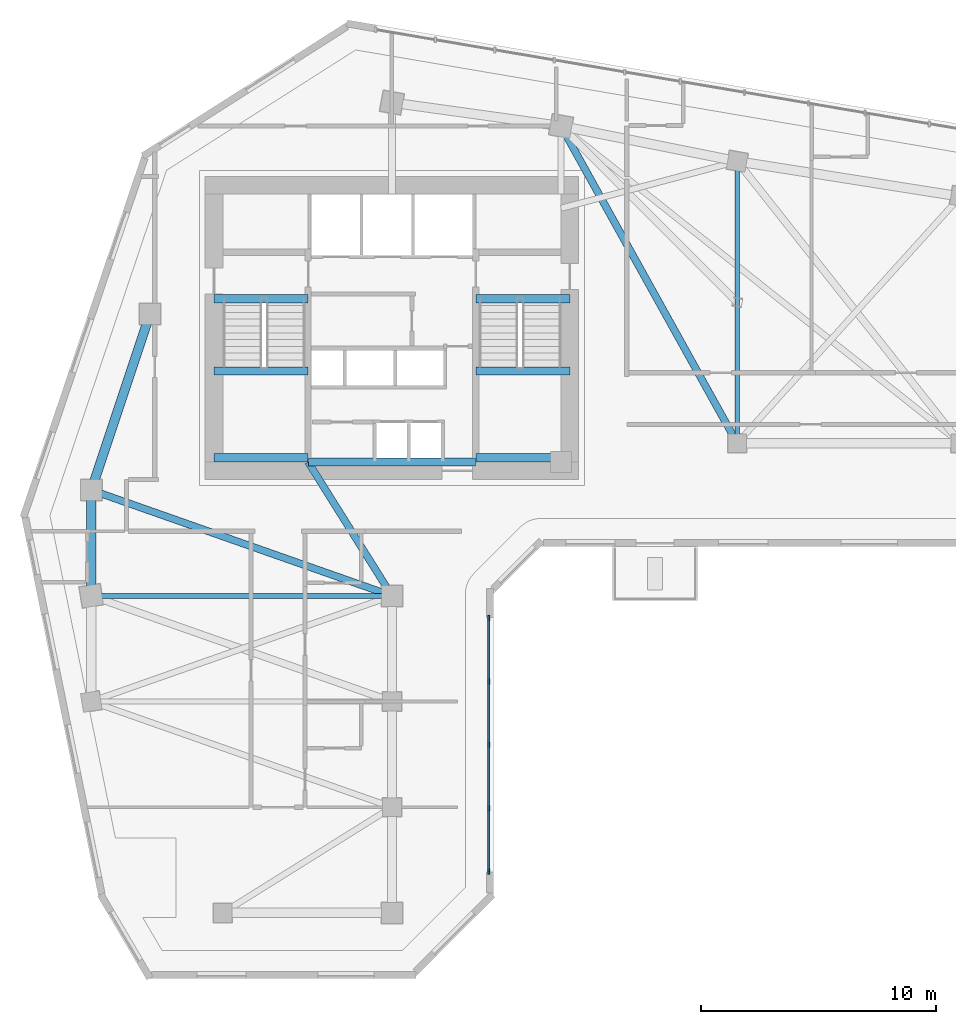
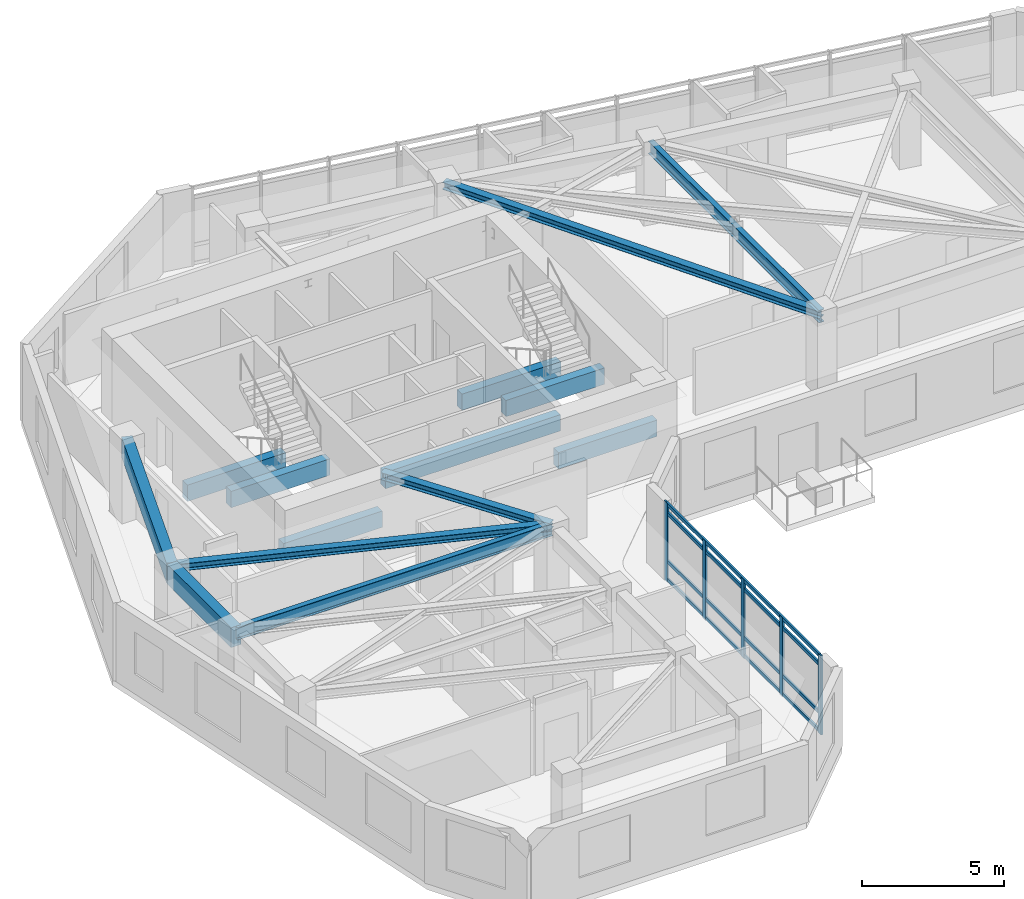
# One storey, part 2 of 11: 14 beams, 9 members, 1 element without a shape of its own.
"""IFC4 building model written with IfcOpenShell, lengths in metres."""

from ifc_helpers import new_model, si_unit, direction, frame, origin, origin_2d, place, context, subcontext, project, spatial, rectangle, i_section, extrude, source, transform, mapped, material, material_profile, profile_set, type_object, element, aggregate, save


model = new_model("IFC4")

# Units and contexts
model_context = context("Model", 3, precision=1e-05, world=origin(), true_north=direction((0.0, 1.0)))
body_context = subcontext(model_context, "Body", "Model", "MODEL_VIEW")
ifc_project = project(units=[si_unit("LENGTHUNIT", "METRE"), si_unit("AREAUNIT", "SQUARE_METRE"), si_unit("VOLUMEUNIT", "CUBIC_METRE"), si_unit("PLANEANGLEUNIT", "RADIAN"), si_unit("MASSUNIT", "GRAM", prefix="KILO")], contexts=[model_context])

# Site, building, storey
site_placement = place(None, origin())
site = spatial("IfcSite", under=ifc_project, at=site_placement, CompositionType="ELEMENT")
building_placement = place(site_placement, origin())
building = spatial("IfcBuilding", under=site, at=building_placement, Name="Calvemar Wedge Station Tower", CompositionType="ELEMENT")
storey_placement = place(building_placement, frame((0.0, 0.0, 143.0)))
storey = spatial("IfcBuildingStorey", under=building, at=storey_placement, Name="L35", CompositionType="ELEMENT", Elevation=143.0)

# Beams
ifc_material_1 = material(Name="Concrete C60", Category="concrete")
ifc_material_profile_1 = material_profile(ifc_material_1, rectangle(XDim=0.39990234375, YDim=0.85009765625, at=origin_2d()), Name="RC400x850")
ifc_profile_set_1 = profile_set([ifc_material_profile_1], Name="Concrete C60")
beam_type_1 = type_object("IfcBeamType", Name="BM-SP1-850", PredefinedType="SPANDREL", material=ifc_profile_set_1)
shared_shape_1 = source(origin(), body_context, "Body", "SweptSolid", [
    extrude(rectangle(XDim=0.39990234375, YDim=0.85009765625, at=origin_2d()), origin(), (0.0, 0.0, 1.0), 7.90576171875),
])
beam_1_placement = place(storey_placement, frame((11.0, 33.0, 2.925048828125), z_axis=(0.316227766017, 0.948683298051, 0.0), x_axis=(-0.948683298051, 0.316227766017, 0.0)))
element("IfcBeam", 1, at=beam_1_placement, inside=storey, type_object=beam_type_1, Name="Storey L35 Spandrel T-NW1-T-NW2", PredefinedType="SPANDREL", context=body_context, shape_type="MappedRepresentation", body=[
    mapped(shared_shape_1, transform((0.0, 0.0, 0.0), scale=1.0)),
])
shared_shape_2 = source(origin(), body_context, "Body", "SweptSolid", [
    extrude(rectangle(XDim=0.39990234375, YDim=0.85009765625, at=origin_2d()), origin(), (0.0, 0.0, 1.0), 4.5),
])
beam_2_placement = place(storey_placement, frame((11.0, 33.0, 2.925048828125), z_axis=(0.0, -1.0, 0.0), x_axis=(1.0, 0.0, 0.0)))
element("IfcBeam", 2, at=beam_2_placement, inside=storey, type_object=beam_type_1, Name="Storey L35 Spandrel T-NW1-T-SW1", PredefinedType="SPANDREL", context=body_context, shape_type="MappedRepresentation", body=[
    mapped(shared_shape_2, transform((0.0, 0.0, 0.0), scale=1.0)),
])
ifc_material_2 = material(Name="Concrete C70", Category="concrete")
ifc_material_profile_2 = material_profile(ifc_material_2, rectangle(XDim=0.35009765625, YDim=0.699951171875, at=origin_2d()), Name="RC350x700")
ifc_profile_set_2 = profile_set([ifc_material_profile_2], Name="Concrete C70")
beam_type_2 = type_object("IfcBeamType", Name="BM-LN1-700", PredefinedType="LINTEL", material=ifc_profile_set_2)
shared_shape_3 = source(origin(), body_context, "Body", "SweptSolid", [
    extrude(rectangle(XDim=0.35009765625, YDim=0.699951171875, at=origin_2d()), origin(), (0.0, 0.0, 1.0), 7.10009765625),
])
beam_3_placement = place(storey_placement, frame((20.25, 34.199951171875, 3.0), z_axis=(1.0, 0.0, 0.0), x_axis=(0.0, 1.0, 0.0)))
element("IfcBeam", 3, at=beam_3_placement, inside=storey, type_object=beam_type_2, Name="Storey L35 Core Coupling Lintel South", PredefinedType="LINTEL", context=body_context, shape_type="MappedRepresentation", body=[
    mapped(shared_shape_3, transform((0.0, 0.0, 0.0), scale=1.0)),
])
ifc_material_3 = material(Name="Structural steel ASTM A572 Grade 50", Category="steel")
ifc_material_profile_3 = material_profile(ifc_material_3, i_section(OverallWidth=0.304931640625, OverallDepth=0.30810546875, WebThickness=0.010009765625, FlangeThickness=0.015380859375, FilletRadius=0.014892578125, at=origin_2d()), Name="W310x97")
ifc_profile_set_3 = profile_set([ifc_material_profile_3], Name="Structural steel ASTM A572 Grade 50")
beam_type_3 = type_object("IfcBeamType", Name="BM-J6-W310", PredefinedType="JOIST", material=ifc_profile_set_3)
shared_shape_4 = source(origin(), body_context, "Body", "SweptSolid", [
    extrude(i_section(OverallWidth=0.304931640625, OverallDepth=0.30810546875, WebThickness=0.010009765625, FlangeThickness=0.015380859375, FilletRadius=0.014892578125, at=origin_2d()), origin(), (0.0, 0.0, 1.0), 15.443359375),
])
beam_4_placement = place(storey_placement, frame((31.0, 48.5, 3.196044921875), z_axis=(0.485642931179, -0.874157276122, 0.0), x_axis=(0.874157276122, 0.485642931179, 0.0)))
element("IfcBeam", 4, at=beam_4_placement, inside=storey, type_object=beam_type_3, Name="Storey L35 Floor Beam T-N2-T-NL2", PredefinedType="JOIST", context=body_context, shape_type="MappedRepresentation", body=[
    mapped(shared_shape_4, transform((0.0, 0.0, 0.0), scale=1.0)),
])
shared_shape_5 = source(origin(), body_context, "Body", "SweptSolid", [
    extrude(i_section(OverallWidth=0.304931640625, OverallDepth=0.30810546875, WebThickness=0.010009765625, FlangeThickness=0.015380859375, FilletRadius=0.014892578125, at=origin_2d()), origin(), (0.0, 0.0, 1.0), 13.568115234375),
])
beam_5_placement = place(storey_placement, frame((11.0, 33.0, 3.196044921875), z_axis=(0.943398221169, -0.331662171939, 0.0), x_axis=(0.331662171939, 0.943398221169, 0.0)))
element("IfcBeam", 5, at=beam_5_placement, inside=storey, type_object=beam_type_3, Name="Storey L35 Floor Beam T-NW1-T-SE1", PredefinedType="JOIST", context=body_context, shape_type="MappedRepresentation", body=[
    mapped(shared_shape_5, transform((0.0, 0.0, 0.0), scale=1.0)),
])
shared_shape_6 = source(origin(), body_context, "Body", "SweptSolid", [
    extrude(i_section(OverallWidth=0.304931640625, OverallDepth=0.30810546875, WebThickness=0.010009765625, FlangeThickness=0.015380859375, FilletRadius=0.014892578125, at=origin_2d()), origin(), (0.0, 0.0, 1.0), 6.7255859375),
])
beam_6_placement = place(storey_placement, frame((20.22998046875, 34.199951171875, 3.196044921875), z_axis=(0.530811158438, -0.847490126242, 0.0), x_axis=(0.847490126242, 0.530811158438, 0.0)))
element("IfcBeam", 6, at=beam_6_placement, inside=storey, type_object=beam_type_3, Name="Storey L35 Core-to-Column Joist CJ-S2", PredefinedType="JOIST", context=body_context, shape_type="MappedRepresentation", body=[
    mapped(shared_shape_6, transform((0.0, 0.0, 0.0), scale=1.0)),
])
shared_shape_7 = source(origin(), body_context, "Body", "SweptSolid", [
    extrude(rectangle(XDim=0.35009765625, YDim=0.699951171875, at=origin_2d()), origin(), (0.0, 0.0, 1.0), 4.0048828125),
])
for number, where, z_axis, x_axis, name in (
    (7, (16.22509765625, 41.14990234375, -0.35009765625), (1.0, 0.0, 0.0), (0.0, 1.0, 0.0), "Storey L35 Stair ST-C1 Landing Trimmer Beam"),
    (8, (27.3701171875, 41.14990234375, -0.35009765625), (1.0, 0.0, 0.0), (0.0, 1.0, 0.0), "Storey L35 Stair ST-C2 Landing Trimmer Beam"),
    (9, (16.22509765625, 34.3798828125, 1.25), (1.0, 0.0, 0.0), (0.0, 1.0, 0.0), "Storey L35 Stair ST-C1 Half-Landing Beam 1A"),
    (10, (16.22509765625, 38.070068359375, 1.25), (1.0, 0.0, 0.0), (0.0, 1.0, 0.0), "Storey L35 Stair ST-C1 Half-Landing Beam 1B"),
    (11, (27.3701171875, 34.3798828125, 1.25), (1.0, 0.0, 0.0), (0.0, 1.0, 0.0), "Storey L35 Stair ST-C2 Half-Landing Beam 1A"),
    (12, (27.3701171875, 38.070068359375, 1.25), (1.0, 0.0, 0.0), (0.0, 1.0, 0.0), "Storey L35 Stair ST-C2 Half-Landing Beam 1B"),
):
    element("IfcBeam", number, at=place(storey_placement, frame(where, z_axis=z_axis, x_axis=x_axis)), inside=storey, type_object=beam_type_2, Name=name, PredefinedType="LINTEL", context=body_context, shape_type="MappedRepresentation", body=[
        mapped(shared_shape_7, transform((0.0, 0.0, 0.0), scale=1.0)),
    ])
ifc_material_profile_4 = material_profile(ifc_material_3, i_section(OverallWidth=0.2109375, OverallDepth=0.5390625, WebThickness=0.01171875, FlangeThickness=0.018798828125, FilletRadius=0.012939453125, at=origin_2d()), Name="W530x109")
ifc_profile_set_4 = profile_set([ifc_material_profile_4], Name="Structural steel ASTM A572 Grade 50")
beam_type_4 = type_object("IfcBeamType", Name="BM-SB4-W530", PredefinedType="BEAM", material=ifc_profile_set_4)
shared_shape_8 = source(origin(), body_context, "Body", "SweptSolid", [
    extrude(i_section(OverallWidth=0.2109375, OverallDepth=0.5390625, WebThickness=0.01171875, FlangeThickness=0.018798828125, FilletRadius=0.012939453125, at=origin_2d()), origin(), (0.0, 0.0, 1.0), 12.0),
])
beam_7_placement = place(storey_placement, frame((38.5, 47.0, 3.08056640625), z_axis=(0.0, -1.0, 0.0), x_axis=(1.0, 0.0, 0.0)))
element("IfcBeam", 13, at=beam_7_placement, inside=storey, type_object=beam_type_4, Name="Storey L35 Floor Beam T-NU3-T-NL2", PredefinedType="BEAM", context=body_context, shape_type="MappedRepresentation", body=[
    mapped(shared_shape_8, transform((0.0, 0.0, 0.0), scale=1.0)),
])
shared_shape_9 = source(origin(), body_context, "Body", "SweptSolid", [
    extrude(i_section(OverallWidth=0.2109375, OverallDepth=0.5390625, WebThickness=0.01171875, FlangeThickness=0.018798828125, FilletRadius=0.012939453125, at=origin_2d()), origin(), (0.0, 0.0, 1.0), 12.800048828125),
])
beam_8_placement = place(storey_placement, frame((11.0, 28.5, 3.08056640625), z_axis=(1.0, 0.0, 0.0), x_axis=(0.0, 1.0, 0.0)))
element("IfcBeam", 14, at=beam_8_placement, inside=storey, type_object=beam_type_4, Name="Storey L35 Floor Beam T-SW1-T-SE1", PredefinedType="BEAM", context=body_context, shape_type="MappedRepresentation", body=[
    mapped(shared_shape_9, transform((0.0, 0.0, 0.0), scale=1.0)),
])

# Curtain wall, members
ifc_material_4 = material(Name="Anodised aluminium 6063-T6", Category="aluminium")
curtain_wall_type = type_object("IfcCurtainWallType", Name="CW2", PredefinedType="NOTDEFINED", material=ifc_material_4)
curtain_wall_placement = place(storey_placement, origin())
curtain_wall = element("IfcCurtainWall", 15, at=curtain_wall_placement, inside=storey, type_object=curtain_wall_type, Name="Storey L35 CW2 Recessed Unitised Curtain Wall 4", PredefinedType="NOTDEFINED")
ifc_material_profile_5 = material_profile(ifc_material_4, rectangle(XDim=0.074951171875, YDim=0.219970703125, at=origin_2d()), Name="AL-MUL-75x220")
ifc_profile_set_5 = profile_set([ifc_material_profile_5], Name="Anodised aluminium 6063-T6")
member_type_1 = type_object("IfcMemberType", Name="CW2-MUL", PredefinedType="MULLION", material=ifc_profile_set_5)
shared_shape_10 = source(origin(), body_context, "Body", "SweptSolid", [
    extrude(rectangle(XDim=0.074951171875, YDim=0.219970703125, at=origin_2d()), origin(), (0.0, 0.0, 1.0), 3.400146484375),
])
member_1_placement = place(storey_placement, frame((27.91796875, 16.76220703125, -0.050048828125), z_axis=(0.0, 0.0, 1.0), x_axis=(1.0, 0.0, 0.0)))
member_1 = element("IfcMember", 16, at=member_1_placement, type_object=member_type_1, Name="CW2 mullion 1", PredefinedType="MULLION", context=body_context, shape_type="MappedRepresentation", body=[
    mapped(shared_shape_10, transform((0.0, 0.0, 0.0), scale=1.0)),
])
member_2_placement = place(storey_placement, frame((27.91796875, 19.460205078125, -0.050048828125), z_axis=(0.0, 0.0, 1.0), x_axis=(1.0, 0.0, 0.0)))
member_2 = element("IfcMember", 17, at=member_2_placement, type_object=member_type_1, Name="CW2 mullion 2", PredefinedType="MULLION", context=body_context, shape_type="MappedRepresentation", body=[
    mapped(shared_shape_10, transform((0.0, 0.0, 0.0), scale=1.0)),
])
member_3_placement = place(storey_placement, frame((27.91796875, 22.158203125, -0.050048828125), z_axis=(0.0, 0.0, 1.0), x_axis=(1.0, 0.0, 0.0)))
member_3 = element("IfcMember", 18, at=member_3_placement, type_object=member_type_1, Name="CW2 mullion 3", PredefinedType="MULLION", context=body_context, shape_type="MappedRepresentation", body=[
    mapped(shared_shape_10, transform((0.0, 0.0, 0.0), scale=1.0)),
])
member_4_placement = place(storey_placement, frame((27.91796875, 24.856201171875, -0.050048828125), z_axis=(0.0, 0.0, 1.0), x_axis=(1.0, 0.0, 0.0)))
member_4 = element("IfcMember", 19, at=member_4_placement, type_object=member_type_1, Name="CW2 mullion 4", PredefinedType="MULLION", context=body_context, shape_type="MappedRepresentation", body=[
    mapped(shared_shape_10, transform((0.0, 0.0, 0.0), scale=1.0)),
])
member_5_placement = place(storey_placement, frame((27.91796875, 27.55419921875, -0.050048828125), z_axis=(0.0, 0.0, 1.0), x_axis=(1.0, 0.0, 0.0)))
member_5 = element("IfcMember", 20, at=member_5_placement, type_object=member_type_1, Name="CW2 mullion 5", PredefinedType="MULLION", context=body_context, shape_type="MappedRepresentation", body=[
    mapped(shared_shape_10, transform((0.0, 0.0, 0.0), scale=1.0)),
])
ifc_material_profile_6 = material_profile(ifc_material_4, rectangle(XDim=0.074951171875, YDim=0.14990234375, at=origin_2d()), Name="AL-TRN-75x150")
ifc_profile_set_6 = profile_set([ifc_material_profile_6], Name="Anodised aluminium 6063-T6")
member_type_2 = type_object("IfcMemberType", Name="CW2-TRN", PredefinedType="USERDEFINED", material=ifc_profile_set_6)
shared_shape_11 = source(origin(), body_context, "Body", "SweptSolid", [
    extrude(rectangle(XDim=0.074951171875, YDim=0.14990234375, at=origin_2d()), origin(), (0.0, 0.0, 1.0), 10.7919921875),
])
member_6_placement = place(storey_placement, frame((27.91796875, 16.76220703125, 0.06005859375), z_axis=(0.0, 1.0, 0.0), x_axis=(-1.0, 0.0, 0.0)))
member_6 = element("IfcMember", 21, at=member_6_placement, type_object=member_type_2, Name="CW2 transom 1", ObjectType="TRANSOM", PredefinedType="USERDEFINED", context=body_context, shape_type="MappedRepresentation", body=[
    mapped(shared_shape_11, transform((0.0, 0.0, 0.0), scale=1.0)),
])
member_7_placement = place(storey_placement, frame((27.91796875, 16.76220703125, 0.85009765625), z_axis=(0.0, 1.0, 0.0), x_axis=(-1.0, 0.0, 0.0)))
member_7 = element("IfcMember", 22, at=member_7_placement, type_object=member_type_2, Name="CW2 transom 2", ObjectType="TRANSOM", PredefinedType="USERDEFINED", context=body_context, shape_type="MappedRepresentation", body=[
    mapped(shared_shape_11, transform((0.0, 0.0, 0.0), scale=1.0)),
])
member_8_placement = place(storey_placement, frame((27.91796875, 16.76220703125, 2.89990234375), z_axis=(0.0, 1.0, 0.0), x_axis=(-1.0, 0.0, 0.0)))
member_8 = element("IfcMember", 23, at=member_8_placement, type_object=member_type_2, Name="CW2 transom 3", ObjectType="TRANSOM", PredefinedType="USERDEFINED", context=body_context, shape_type="MappedRepresentation", body=[
    mapped(shared_shape_11, transform((0.0, 0.0, 0.0), scale=1.0)),
])
member_9_placement = place(storey_placement, frame((27.91796875, 16.76220703125, 3.2900390625), z_axis=(0.0, 1.0, 0.0), x_axis=(-1.0, 0.0, 0.0)))
member_9 = element("IfcMember", 24, at=member_9_placement, type_object=member_type_2, Name="CW2 transom 4", ObjectType="TRANSOM", PredefinedType="USERDEFINED", context=body_context, shape_type="MappedRepresentation", body=[
    mapped(shared_shape_11, transform((0.0, 0.0, 0.0), scale=1.0)),
])
aggregate(curtain_wall, [member_1, member_2, member_3, member_4, member_5, member_6, member_7, member_8, member_9])

save(model, "model.ifc")
